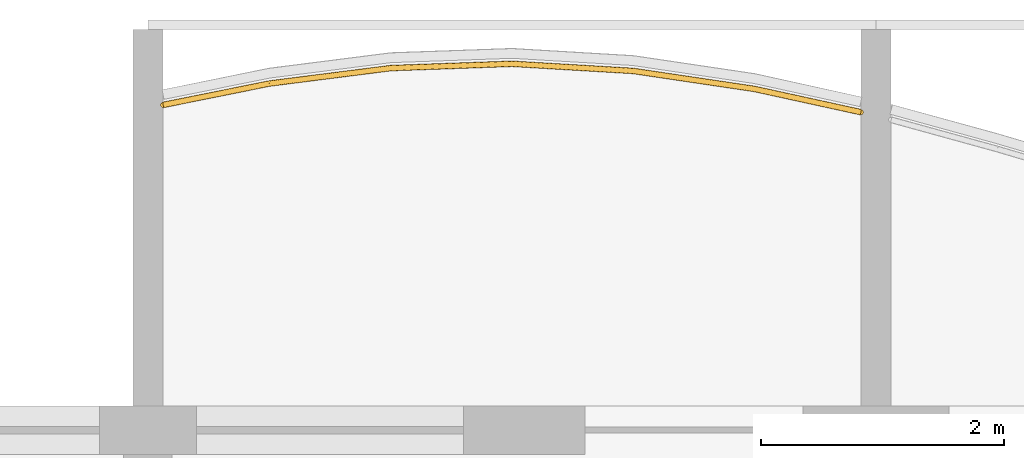
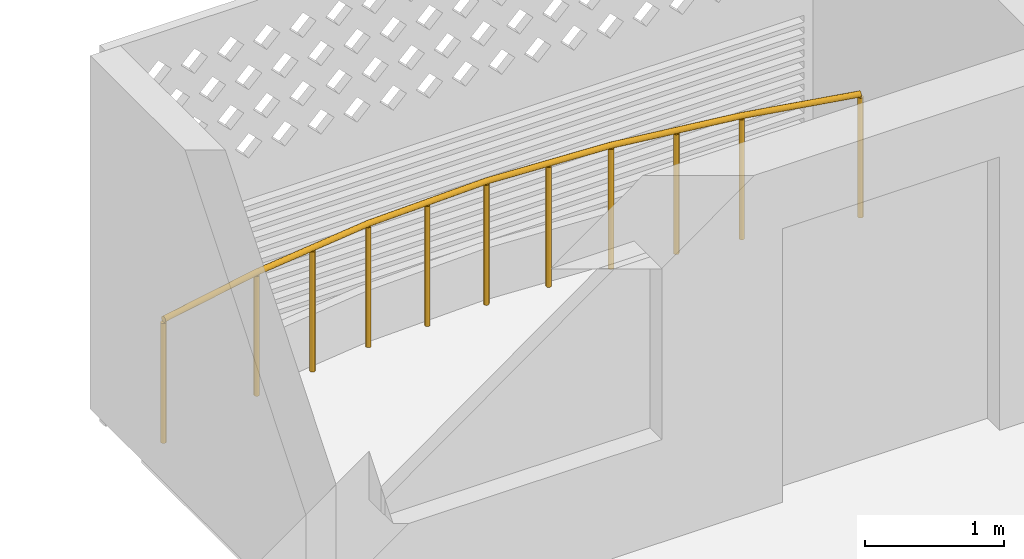
# One storey, part 29 of 39: 1 railing.
"""IFC4 building model written with IfcOpenShell, lengths in metres."""

from ifc_helpers import new_model, si_unit, direction, frame, origin, origin_2d, place, context, subcontext, project, spatial, circle, extrude, material, type_object, element, save


model = new_model("IFC4")

# Units and contexts
model_context = context("Model", 3, precision=1e-05, world=origin(), true_north=direction((0.0, 1.0)))
body_context = subcontext(model_context, "Body", "Model", "MODEL_VIEW")
ifc_project = project(units=[si_unit("LENGTHUNIT", "METRE"), si_unit("AREAUNIT", "SQUARE_METRE"), si_unit("VOLUMEUNIT", "CUBIC_METRE"), si_unit("PLANEANGLEUNIT", "RADIAN"), si_unit("MASSUNIT", "GRAM", prefix="KILO")], contexts=[model_context])

# Site, building, storey
site_placement = place(None, origin())
site = spatial("IfcSite", under=ifc_project, at=site_placement, CompositionType="ELEMENT")
building_placement = place(site_placement, origin())
building = spatial("IfcBuilding", under=site, at=building_placement, Name="Poui Terraces", CompositionType="ELEMENT")
storey_placement = place(building_placement, frame((0.0, 0.0, 63.0)))
storey = spatial("IfcBuildingStorey", under=building, at=storey_placement, Name="L17", CompositionType="ELEMENT", Elevation=63.0)

# Railing
ifc_material = material(Name="Painted steel fretwork", Category="steel")
railing_type = type_object("IfcRailingType", Name="BALCONY GUARD 1100", PredefinedType="GUARDRAIL", material=ifc_material)
railing_placement = place(storey_placement, frame((54.125, 47.47998046875, 0.0)))
element("IfcRailing", 1, at=railing_placement, inside=storey, type_object=railing_type, Name="BALCONY GUARD", PredefinedType="GUARDRAIL", context=body_context, shape_type="SweptSolid", body=[
    extrude(circle(Radius=0.02392578125, at=origin_2d()), frame((0.0, 0.0, 1.076171875), z_axis=(0.98030619905, 0.197483559072, 0.0), x_axis=(-0.197483559072, 0.98030619905, 0.0)), (0.0, 0.0, 1.0), 0.892578125),
    extrude(circle(Radius=0.02392578125, at=origin_2d()), frame((0.875, 0.17626953125, 1.076171875), z_axis=(0.992007284566, 0.126180614077, 0.0), x_axis=(-0.126180614077, 0.992007284566, 0.0)), (0.0, 0.0, 1.0), 1.008056640625),
    extrude(circle(Radius=0.02392578125, at=origin_2d()), frame((1.875, 0.303466796875, 1.076171875), z_axis=(0.999365338401, 0.035621909035, 0.0), x_axis=(-0.035621909035, 0.999365338401, 0.0)), (0.0, 0.0, 1.0), 1.000732421875),
    extrude(circle(Radius=0.02392578125, at=origin_2d()), frame((2.875, 0.339111328125, 1.076171875), z_axis=(0.998259212875, -0.058979182011, 0.0), x_axis=(0.058979182011, 0.998259212875, 0.0)), (0.0, 0.0, 1.0), 1.001708984375),
    extrude(circle(Radius=0.02392578125, at=origin_2d()), frame((3.875, 0.280029296875, 1.076171875), z_axis=(0.989161931015, -0.146828724135, 0.0), x_axis=(0.146828724135, 0.989161931015, 0.0)), (0.0, 0.0, 1.0), 1.010986328125),
    extrude(circle(Radius=0.02392578125, at=origin_2d()), frame((4.875, 0.131591796875, 1.076171875), z_axis=(0.97695688845, -0.213436730931, 0.0), x_axis=(0.213436730931, 0.97695688845, 0.0)), (0.0, 0.0, 1.0), 0.895751953125),
    extrude(circle(Radius=0.02099609375, at=origin_2d()), origin(), (0.0, 0.0, 1.0), 1.052001953125),
    extrude(circle(Radius=0.02099609375, at=origin_2d()), frame((0.875, 0.17626953125, 0.0)), (0.0, 0.0, 1.0), 1.052001953125),
    extrude(circle(Radius=0.02099609375, at=origin_2d()), frame((1.375, 0.23974609375, 0.0)), (0.0, 0.0, 1.0), 1.052001953125),
    extrude(circle(Radius=0.02099609375, at=origin_2d()), frame((1.875, 0.303466796875, 0.0)), (0.0, 0.0, 1.0), 1.052001953125),
    extrude(circle(Radius=0.02099609375, at=origin_2d()), frame((2.375, 0.3212890625, 0.0)), (0.0, 0.0, 1.0), 1.052001953125),
    extrude(circle(Radius=0.02099609375, at=origin_2d()), frame((2.875, 0.339111328125, 0.0)), (0.0, 0.0, 1.0), 1.052001953125),
    extrude(circle(Radius=0.02099609375, at=origin_2d()), frame((3.375, 0.3095703125, 0.0)), (0.0, 0.0, 1.0), 1.052001953125),
    extrude(circle(Radius=0.02099609375, at=origin_2d()), frame((3.875, 0.280029296875, 0.0)), (0.0, 0.0, 1.0), 1.052001953125),
    extrude(circle(Radius=0.02099609375, at=origin_2d()), frame((4.375, 0.205810546875, 0.0)), (0.0, 0.0, 1.0), 1.052001953125),
    extrude(circle(Radius=0.02099609375, at=origin_2d()), frame((4.875, 0.131591796875, 0.0)), (0.0, 0.0, 1.0), 1.052001953125),
    extrude(circle(Radius=0.02099609375, at=origin_2d()), frame((5.75, -0.0595703125, 0.0)), (0.0, 0.0, 1.0), 1.052001953125),
])

save(model, "model.ifc")
